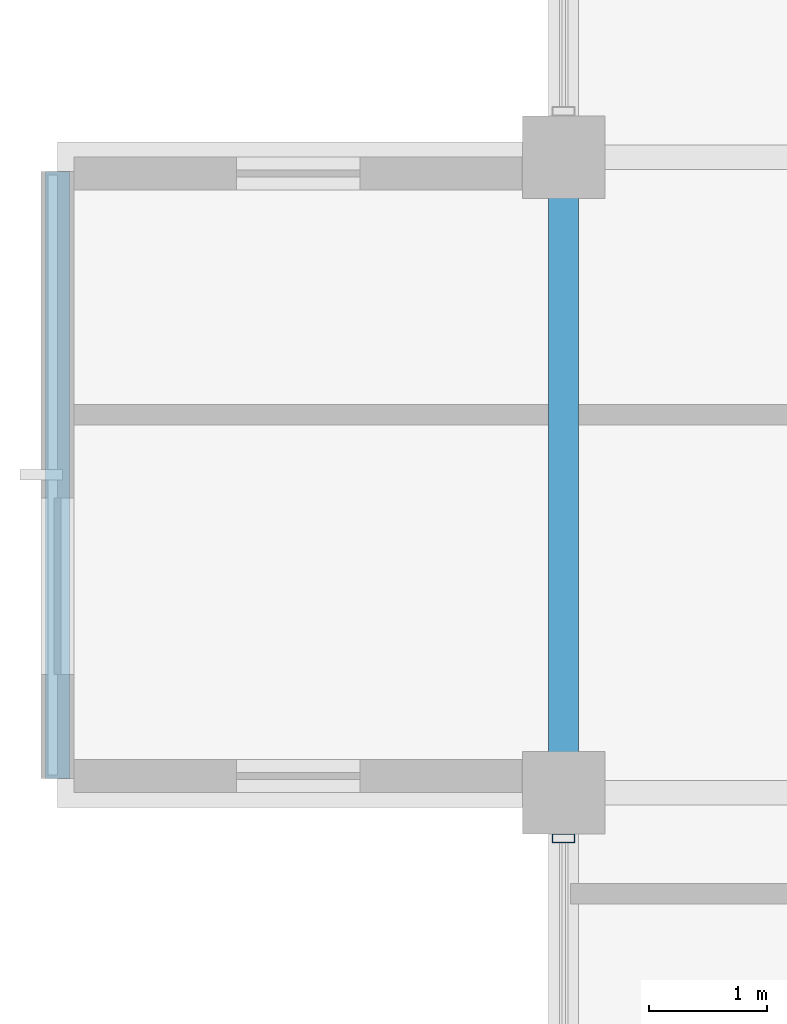
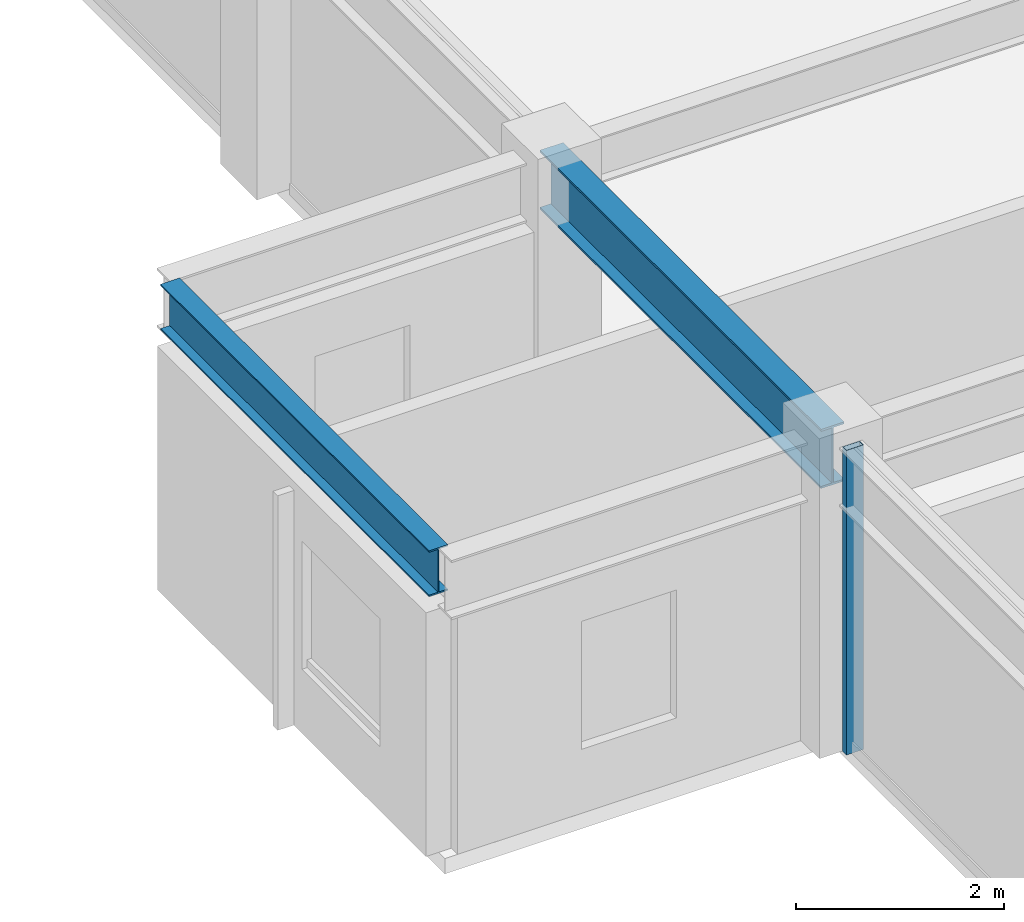
# One storey, part 7 of 31: 2 beams, 1 member, 1 element without a shape of its own.
"""IFC4 building model written with IfcOpenShell, lengths in metres."""

from ifc_helpers import new_model, si_unit, direction, frame, origin, origin_2d, place, context, subcontext, project, spatial, hollow_rectangle, i_section, extrude, material, layer, layer_set, material_profile, profile_set, type_object, element, aggregate, save


model = new_model("IFC4")

# Units and contexts
model_context = context("Model", 3, precision=1e-05, world=origin(), true_north=direction((0.0, 1.0)))
body_context = subcontext(model_context, "Body", "Model", "MODEL_VIEW")
ifc_project = project(units=[si_unit("LENGTHUNIT", "METRE"), si_unit("AREAUNIT", "SQUARE_METRE"), si_unit("VOLUMEUNIT", "CUBIC_METRE"), si_unit("PLANEANGLEUNIT", "RADIAN"), si_unit("MASSUNIT", "GRAM", prefix="KILO")], contexts=[model_context])

# Site, building, storey
site_placement = place(None, origin())
site = spatial("IfcSite", under=ifc_project, at=site_placement, CompositionType="ELEMENT")
building_placement = place(site_placement, origin())
building = spatial("IfcBuilding", under=site, at=building_placement, Name="Surkhivell Harbour Commons", CompositionType="ELEMENT")
storey_placement = place(building_placement, frame((0.0, 0.0, 262.5)))
storey = spatial("IfcBuildingStorey", under=building, at=storey_placement, Name="L68", CompositionType="ELEMENT", Elevation=262.5)

# Beams
ifc_material_1 = material(Name="Steel S355", Category="steel")
ifc_material_profile_1 = material_profile(ifc_material_1, i_section(OverallWidth=0.2099609375, OverallDepth=0.537109375, WebThickness=0.0107421875, FlangeThickness=0.017333984375, at=origin_2d()), Name="UB533x210x101")
ifc_profile_set_1 = profile_set([ifc_material_profile_1], Name="Steel S355")
beam_type_1 = type_object("IfcBeamType", Name="BM-GRD-533B", PredefinedType="BEAM", material=ifc_profile_set_1)
beam_1_placement = place(storey_placement, frame((-31.300048828125, 5.52197265625, 3.301513671875), z_axis=(0.0, 1.0, 0.0), x_axis=(-1.0, 0.0, 0.0)))
element("IfcBeam", 1, at=beam_1_placement, inside=storey, type_object=beam_type_1, Name="L68 Box Rim Spandrel (-31.3,5.4)", PredefinedType="BEAM", context=body_context, shape_type="SweptSolid", body=[
    extrude(i_section(OverallWidth=0.2099609375, OverallDepth=0.537109375, WebThickness=0.0107421875, FlangeThickness=0.017333984375, at=origin_2d()), origin(), (0.0, 0.0, 1.0), 5.156005859375),
])
ifc_material_profile_2 = material_profile(ifc_material_1, i_section(OverallWidth=0.256103515625, OverallDepth=0.693115234375, WebThickness=0.014404296875, FlangeThickness=0.023681640625, at=origin_2d()), Name="UB686x254x170")
ifc_profile_set_2 = profile_set([ifc_material_profile_2], Name="Steel S355")
beam_type_2 = type_object("IfcBeamType", Name="BM-SPN-686", PredefinedType="SPANDREL", material=ifc_profile_set_2)
beam_2_placement = place(storey_placement, frame((-27.0, 5.39990234375, 3.223388671875), z_axis=(0.0, 1.0, 0.0), x_axis=(-1.0, 0.0, 0.0)))
element("IfcBeam", 2, at=beam_2_placement, inside=storey, type_object=beam_type_2, Name="L68 Tube Spandrel (-27.0,5.4)", PredefinedType="SPANDREL", context=body_context, shape_type="SweptSolid", body=[
    extrude(i_section(OverallWidth=0.256103515625, OverallDepth=0.693115234375, WebThickness=0.014404296875, FlangeThickness=0.023681640625, at=origin_2d()), origin(), (0.0, 0.0, 1.0), 5.400146484375),
])

# Curtain wall, member
ifc_material_2 = material(Name="Anodised pale-metal aluminium and insulated glazing", Category="aluminium")
ifc_layer = layer(ifc_material_2, 0.175048828125)
ifc_layer_set = layer_set([ifc_layer], Name="Anodised pale-metal aluminium and insulated glazing")
curtain_wall_type = type_object("IfcCurtainWallType", Name="CW-SYS-Z4", PredefinedType="NOTDEFINED", material=ifc_layer_set)
curtain_wall_placement = place(storey_placement, origin())
curtain_wall = element("IfcCurtainWall", 3, at=curtain_wall_placement, inside=storey, type_object=curtain_wall_type, Name="L68 Curtain Wall CW-L68-E12R1S1", PredefinedType="NOTDEFINED")
ifc_material_3 = material(Name="Anodised pale-metal aluminium alloy 6063-T6", Category="aluminium")
ifc_material_profile_3 = material_profile(ifc_material_3, hollow_rectangle(XDim=0.074951171875, YDim=0.18994140625, WallThickness=0.00390625, at=origin_2d()), Name="ALU-MULL-75x190")
ifc_profile_set_3 = profile_set([ifc_material_profile_3], Name="Anodised pale-metal aluminium alloy 6063-T6")
member_type = type_object("IfcMemberType", Name="CWM-190", PredefinedType="MULLION", material=ifc_profile_set_3)
member_placement = place(storey_placement, frame((-27.0, 5.010498046875, 0.0), z_axis=(0.0, 0.0, 1.0), x_axis=(0.0, 1.0, 0.0)))
member = element("IfcMember", 4, at=member_placement, type_object=member_type, Name="CW-Z4 mullion 4", PredefinedType="MULLION", context=body_context, shape_type="SweptSolid", body=[
    extrude(hollow_rectangle(XDim=0.074951171875, YDim=0.18994140625, WallThickness=0.00390625, at=origin_2d()), origin(), (0.0, 0.0, 1.0), 3.570068359375),
])
aggregate(curtain_wall, [member])

save(model, "model.ifc")
